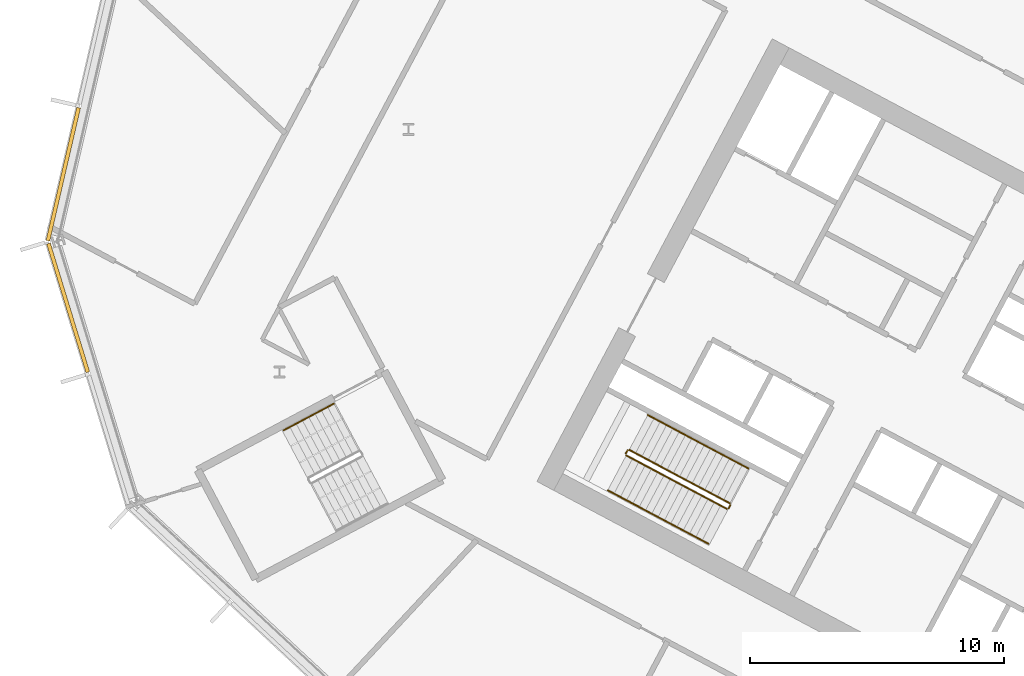
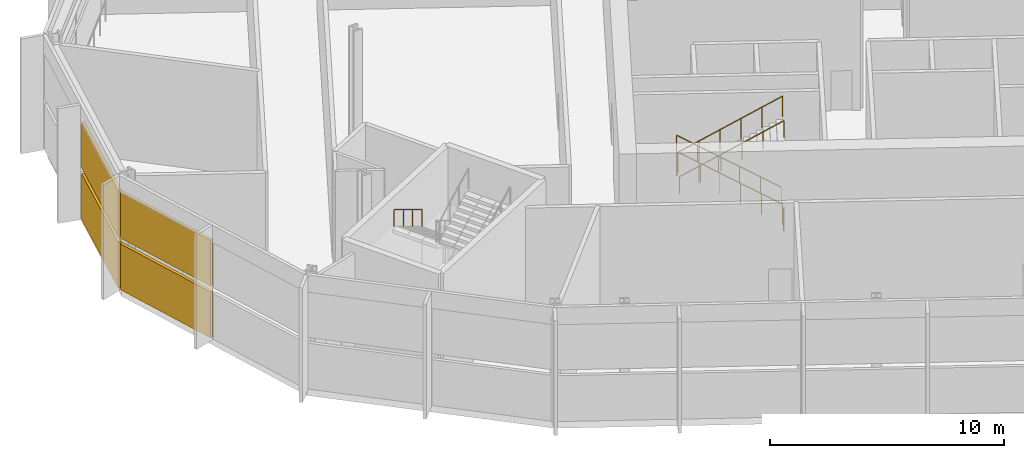
# One storey, part 24 of 33: 7 railings, 4 shading devices, 2 elements without a shape of their own.
"""IFC4 building model written with IfcOpenShell, lengths in metres."""

from ifc_helpers import new_model, si_unit, direction, frame, origin, origin_2d, place, context, subcontext, project, spatial, polyline, rectangle, outline, extrude, material, layer, layer_set, type_object, element, aggregate, save


model = new_model("IFC4")

# Units and contexts
model_context = context("Model", 3, precision=1e-05, world=origin(), true_north=direction((0.0, 1.0)))
body_context = subcontext(model_context, "Body", "Model", "MODEL_VIEW")
ifc_project = project(units=[si_unit("LENGTHUNIT", "METRE"), si_unit("AREAUNIT", "SQUARE_METRE"), si_unit("VOLUMEUNIT", "CUBIC_METRE"), si_unit("PLANEANGLEUNIT", "RADIAN"), si_unit("MASSUNIT", "GRAM", prefix="KILO")], contexts=[model_context])

# Site, building, storey
site_placement = place(None, origin())
site = spatial("IfcSite", under=ifc_project, at=site_placement, CompositionType="ELEMENT")
building_placement = place(site_placement, origin())
building = spatial("IfcBuilding", under=site, at=building_placement, Name="Cormorant Relay Tower", CompositionType="ELEMENT")
storey_placement = place(building_placement, frame((0.0, 0.0, 183.60009765625)))
storey = spatial("IfcBuildingStorey", under=building, at=storey_placement, Name="L39", CompositionType="ELEMENT", Elevation=183.60009765625)

# Curtain wall, shading devices
ifc_material_1 = material(Name="Aluminium 6063-T6 anodised bronze", Category="aluminium")
ifc_layer = layer(ifc_material_1, 0.199951171875)
ifc_layer_set = layer_set([ifc_layer], Name="CW4 band louvre wall")
curtain_wall_type = type_object("IfcCurtainWallType", Name="CW4 band louvre wall", PredefinedType="NOTDEFINED", material=ifc_layer_set)
curtain_wall_1_placement = place(storey_placement, origin())
curtain_wall_1 = element("IfcCurtainWall", 1, at=curtain_wall_1_placement, inside=storey, type_object=curtain_wall_type, Name="CW4 curtain wall 13", PredefinedType="NOTDEFINED")
ifc_material_2 = material(Name="Aluminium 6063-T6 anodised bronze louvre", Category="aluminium")
shading_device_type = type_object("IfcShadingDeviceType", Name="CW4 bronze louvre bank 150 x 2400", PredefinedType="USERDEFINED", material=ifc_material_2)
shading_device_1_placement = place(storey_placement, frame((-60.18994140625, 23.021484375, 2.699951171875), z_axis=(0.0, 0.0, 1.0), x_axis=(-0.224951054344, -0.974370064785, 0.0)))
shading_device_1 = element("IfcShadingDevice", 2, at=shading_device_1_placement, type_object=shading_device_type, Name="CW4 louvre bank U13.2", ObjectType="LOUVRE", PredefinedType="USERDEFINED", context=body_context, shape_type="SweptSolid", body=[
    extrude(rectangle(XDim=5.360107421875, YDim=0.14990234375, at=origin_2d()), origin(), (0.0, 0.0, 1.0), 2.39990234375),
])
shading_device_2_placement = place(storey_placement, frame((-60.18994140625, 23.021484375, 0.0), z_axis=(0.0, 0.0, 1.0), x_axis=(-0.224951054344, -0.974370064785, 0.0)))
shading_device_2 = element("IfcShadingDevice", 3, at=shading_device_2_placement, type_object=shading_device_type, Name="CW4 louvre bank D13.2", ObjectType="LOUVRE", PredefinedType="USERDEFINED", context=body_context, shape_type="SweptSolid", body=[
    extrude(rectangle(XDim=5.360107421875, YDim=0.14990234375, at=origin_2d()), origin(), (0.0, 0.0, 1.0), 2.39990234375),
])
aggregate(curtain_wall_1, [shading_device_1, shading_device_2])

curtain_wall_2_placement = place(storey_placement, origin())
curtain_wall_2 = element("IfcCurtainWall", 4, at=curtain_wall_2_placement, inside=storey, type_object=curtain_wall_type, Name="CW4 curtain wall 14", PredefinedType="NOTDEFINED")
shading_device_3_placement = place(storey_placement, frame((-59.9970703125, 17.7724609375, 2.699951171875), z_axis=(0.0, 0.0, 1.0), x_axis=(0.292371704723, -0.956304755963, 0.0)))
shading_device_3 = element("IfcShadingDevice", 5, at=shading_device_3_placement, type_object=shading_device_type, Name="CW4 louvre bank U14.1", ObjectType="LOUVRE", PredefinedType="USERDEFINED", context=body_context, shape_type="SweptSolid", body=[
    extrude(rectangle(XDim=5.28515625, YDim=0.14990234375, at=origin_2d()), origin(), (0.0, 0.0, 1.0), 2.39990234375),
])
shading_device_4_placement = place(storey_placement, frame((-59.9970703125, 17.7724609375, 0.0), z_axis=(0.0, 0.0, 1.0), x_axis=(0.292371704723, -0.956304755963, 0.0)))
shading_device_4 = element("IfcShadingDevice", 6, at=shading_device_4_placement, type_object=shading_device_type, Name="CW4 louvre bank D14.1", ObjectType="LOUVRE", PredefinedType="USERDEFINED", context=body_context, shape_type="SweptSolid", body=[
    extrude(rectangle(XDim=5.28515625, YDim=0.14990234375, at=origin_2d()), origin(), (0.0, 0.0, 1.0), 2.39990234375),
])
aggregate(curtain_wall_2, [shading_device_3, shading_device_4])

# Railings
ifc_material_3 = material(Name="Steel ASTM A572 Grade 50 (Fy 345 MPa)", Category="steel")
railing_type_1 = type_object("IfcRailingType", Name="Stair guard 1100", PredefinedType="GUARDRAIL", material=ifc_material_3)
railing_1_placement = place(storey_placement, frame((-33.9921875, 10.08935546875, 0.17626953125)))
element("IfcRailing", 7, at=railing_1_placement, inside=storey, type_object=railing_type_1, Name="L39 A2 stair guard 1", PredefinedType="GUARDRAIL", context=body_context, shape_type="SweptSolid", body=[
    extrude(outline(polyline([(0.022216796875, 0.00927734375), (0.00927734375, 0.022216796875), (-0.00927734375, 0.022216796875), (-0.022216796875, 0.00927734375), (-0.022216796875, -0.00927734375), (-0.00927734375, -0.022216796875), (0.00927734375, -0.022216796875), (0.022216796875, -0.00927734375), (0.022216796875, 0.00927734375)])), frame((0.0, 0.0, 1.076171875), z_axis=(-0.746948989206, 0.397171061721, 0.533218862434), x_axis=(-0.469481920044, -0.882942085729, 0.0)), (0.0, 0.0, 1.0), 5.295654296875),
    extrude(outline(polyline([(0.019287109375, 0.008056640625), (0.008056640625, 0.019287109375), (-0.008056640625, 0.019287109375), (-0.019287109375, 0.008056640625), (-0.019287109375, -0.008056640625), (-0.008056640625, -0.019287109375), (0.008056640625, -0.019287109375), (0.019287109375, -0.008056640625), (0.019287109375, 0.008056640625)])), origin(), (0.0, 0.0, 1.0), 1.052001953125),
    extrude(outline(polyline([(0.019287109375, 0.008056640625), (0.008056640625, 0.019287109375), (-0.008056640625, 0.019287109375), (-0.019287109375, 0.008056640625), (-0.019287109375, -0.008056640625), (-0.008056640625, -0.019287109375), (0.008056640625, -0.019287109375), (0.019287109375, -0.008056640625), (0.019287109375, 0.008056640625)])), frame((-0.791015625, 0.420654296875, 0.564697265625)), (0.0, 0.0, 1.0), 1.052001953125),
    extrude(outline(polyline([(0.019287109375, 0.008056640625), (0.008056640625, 0.019287109375), (-0.008056640625, 0.019287109375), (-0.019287109375, 0.008056640625), (-0.019287109375, -0.008056640625), (-0.008056640625, -0.019287109375), (0.008056640625, -0.019287109375), (0.019287109375, -0.008056640625), (0.019287109375, 0.008056640625)])), frame((-1.582275390625, 0.84130859375, 1.12939453125)), (0.0, 0.0, 1.0), 1.052001953125),
    extrude(outline(polyline([(0.019287109375, 0.008056640625), (0.008056640625, 0.019287109375), (-0.008056640625, 0.019287109375), (-0.019287109375, 0.008056640625), (-0.019287109375, -0.008056640625), (-0.008056640625, -0.019287109375), (0.008056640625, -0.019287109375), (0.019287109375, -0.008056640625), (0.019287109375, 0.008056640625)])), frame((-2.373291015625, 1.261962890625, 1.6943359375)), (0.0, 0.0, 1.0), 1.052001953125),
    extrude(outline(polyline([(0.019287109375, 0.008056640625), (0.008056640625, 0.019287109375), (-0.008056640625, 0.019287109375), (-0.019287109375, 0.008056640625), (-0.019287109375, -0.008056640625), (-0.008056640625, -0.019287109375), (0.008056640625, -0.019287109375), (0.019287109375, -0.008056640625), (0.019287109375, 0.008056640625)])), frame((-3.16455078125, 1.6826171875, 2.259033203125)), (0.0, 0.0, 1.0), 1.052001953125),
    extrude(outline(polyline([(0.019287109375, 0.008056640625), (0.008056640625, 0.019287109375), (-0.008056640625, 0.019287109375), (-0.019287109375, 0.008056640625), (-0.019287109375, -0.008056640625), (-0.008056640625, -0.019287109375), (0.008056640625, -0.019287109375), (0.019287109375, -0.008056640625), (0.019287109375, 0.008056640625)])), frame((-3.95556640625, 2.103271484375, 2.82373046875)), (0.0, 0.0, 1.0), 1.052001953125),
])
railing_2_placement = place(storey_placement, frame((-38.015380859375, 12.171875, 3.0)))
element("IfcRailing", 8, at=railing_2_placement, inside=storey, type_object=railing_type_1, Name="L39 A2 stair guard 2", PredefinedType="GUARDRAIL", context=body_context, shape_type="SweptSolid", body=[
    extrude(outline(polyline([(0.022216796875, 0.00927734375), (0.00927734375, 0.022216796875), (-0.00927734375, 0.022216796875), (-0.022216796875, 0.00927734375), (-0.022216796875, -0.00927734375), (-0.00927734375, -0.022216796875), (0.00927734375, -0.022216796875), (0.022216796875, -0.00927734375), (0.022216796875, 0.00927734375)])), frame((0.0, 0.0, 1.076171875), z_axis=(-0.470503732759, -0.882398003998, 0.0), x_axis=(0.882398003998, -0.470503732759, 0.0)), (0.0, 0.0, 1.0), 0.14990234375),
    extrude(outline(polyline([(0.019287109375, 0.008056640625), (0.008056640625, 0.019287109375), (-0.008056640625, 0.019287109375), (-0.019287109375, 0.008056640625), (-0.019287109375, -0.008056640625), (-0.008056640625, -0.019287109375), (0.008056640625, -0.019287109375), (0.019287109375, -0.008056640625), (0.019287109375, 0.008056640625)])), origin(), (0.0, 0.0, 1.0), 1.052001953125),
    extrude(outline(polyline([(0.019287109375, 0.008056640625), (0.008056640625, 0.019287109375), (-0.008056640625, 0.019287109375), (-0.019287109375, 0.008056640625), (-0.019287109375, -0.008056640625), (-0.008056640625, -0.019287109375), (0.008056640625, -0.019287109375), (0.019287109375, -0.008056640625), (0.019287109375, 0.008056640625)])), frame((-0.070556640625, -0.13232421875, 0.0)), (0.0, 0.0, 1.0), 1.052001953125),
])
railing_3_placement = place(storey_placement, frame((-38.065185546875, 11.971923828125, 3.17626953125)))
element("IfcRailing", 9, at=railing_3_placement, inside=storey, type_object=railing_type_1, Name="L39 A2 stair guard 3", PredefinedType="GUARDRAIL", context=body_context, shape_type="SweptSolid", body=[
    extrude(outline(polyline([(0.022216796875, 0.00927734375), (0.00927734375, 0.022216796875), (-0.00927734375, 0.022216796875), (-0.022216796875, 0.00927734375), (-0.022216796875, -0.00927734375), (-0.00927734375, -0.022216796875), (0.00927734375, -0.022216796875), (0.022216796875, -0.00927734375), (0.022216796875, 0.00927734375)])), frame((0.0, 0.0, 1.076171875), z_axis=(0.746948989206, -0.397171061721, 0.533218862434), x_axis=(0.469481920044, 0.882942085729, 0.0)), (0.0, 0.0, 1.0), 5.295654296875),
    extrude(outline(polyline([(0.019287109375, 0.008056640625), (0.008056640625, 0.019287109375), (-0.008056640625, 0.019287109375), (-0.019287109375, 0.008056640625), (-0.019287109375, -0.008056640625), (-0.008056640625, -0.019287109375), (0.008056640625, -0.019287109375), (0.019287109375, -0.008056640625), (0.019287109375, 0.008056640625)])), origin(), (0.0, 0.0, 1.0), 1.052001953125),
    extrude(outline(polyline([(0.019287109375, 0.008056640625), (0.008056640625, 0.019287109375), (-0.008056640625, 0.019287109375), (-0.019287109375, 0.008056640625), (-0.019287109375, -0.008056640625), (-0.008056640625, -0.019287109375), (0.008056640625, -0.019287109375), (0.019287109375, -0.008056640625), (0.019287109375, 0.008056640625)])), frame((0.791015625, -0.420654296875, 0.564697265625)), (0.0, 0.0, 1.0), 1.052001953125),
    extrude(outline(polyline([(0.019287109375, 0.008056640625), (0.008056640625, 0.019287109375), (-0.008056640625, 0.019287109375), (-0.019287109375, 0.008056640625), (-0.019287109375, -0.008056640625), (-0.008056640625, -0.019287109375), (0.008056640625, -0.019287109375), (0.019287109375, -0.008056640625), (0.019287109375, 0.008056640625)])), frame((1.582275390625, -0.84130859375, 1.12939453125)), (0.0, 0.0, 1.0), 1.052001953125),
    extrude(outline(polyline([(0.019287109375, 0.008056640625), (0.008056640625, 0.019287109375), (-0.008056640625, 0.019287109375), (-0.019287109375, 0.008056640625), (-0.019287109375, -0.008056640625), (-0.008056640625, -0.019287109375), (0.008056640625, -0.019287109375), (0.019287109375, -0.008056640625), (0.019287109375, 0.008056640625)])), frame((2.373291015625, -1.261962890625, 1.6943359375)), (0.0, 0.0, 1.0), 1.052001953125),
    extrude(outline(polyline([(0.019287109375, 0.008056640625), (0.008056640625, 0.019287109375), (-0.008056640625, 0.019287109375), (-0.019287109375, 0.008056640625), (-0.019287109375, -0.008056640625), (-0.008056640625, -0.019287109375), (0.008056640625, -0.019287109375), (0.019287109375, -0.008056640625), (0.019287109375, 0.008056640625)])), frame((3.16455078125, -1.6826171875, 2.259033203125)), (0.0, 0.0, 1.0), 1.052001953125),
    extrude(outline(polyline([(0.019287109375, 0.008056640625), (0.008056640625, 0.019287109375), (-0.008056640625, 0.019287109375), (-0.019287109375, 0.008056640625), (-0.019287109375, -0.008056640625), (-0.008056640625, -0.019287109375), (0.008056640625, -0.019287109375), (0.019287109375, -0.008056640625), (0.019287109375, 0.008056640625)])), frame((3.95556640625, -2.103271484375, 2.82373046875)), (0.0, 0.0, 1.0), 1.052001953125),
])
railing_4_placement = place(storey_placement, frame((-33.971435546875, 10.021728515625, 0.0)))
element("IfcRailing", 10, at=railing_4_placement, inside=storey, type_object=railing_type_1, Name="L39 A2 stair guard 4", PredefinedType="GUARDRAIL", context=body_context, shape_type="SweptSolid", body=[
    extrude(outline(polyline([(0.022216796875, 0.00927734375), (0.00927734375, 0.022216796875), (-0.00927734375, 0.022216796875), (-0.022216796875, 0.00927734375), (-0.022216796875, -0.00927734375), (-0.00927734375, -0.022216796875), (0.00927734375, -0.022216796875), (0.022216796875, -0.00927734375), (0.022216796875, 0.00927734375)])), frame((0.0, 0.0, 1.076171875), z_axis=(-0.470503732759, -0.882398003998, 0.0), x_axis=(0.882398003998, -0.470503732759, 0.0)), (0.0, 0.0, 1.0), 0.14990234375),
    extrude(outline(polyline([(0.019287109375, 0.008056640625), (0.008056640625, 0.019287109375), (-0.008056640625, 0.019287109375), (-0.019287109375, 0.008056640625), (-0.019287109375, -0.008056640625), (-0.008056640625, -0.019287109375), (0.008056640625, -0.019287109375), (0.019287109375, -0.008056640625), (0.019287109375, 0.008056640625)])), origin(), (0.0, 0.0, 1.0), 1.052001953125),
    extrude(outline(polyline([(0.019287109375, 0.008056640625), (0.008056640625, 0.019287109375), (-0.008056640625, 0.019287109375), (-0.019287109375, 0.008056640625), (-0.019287109375, -0.008056640625), (-0.008056640625, -0.019287109375), (0.008056640625, -0.019287109375), (0.019287109375, -0.008056640625), (0.019287109375, 0.008056640625)])), frame((-0.070556640625, -0.13232421875, 0.0)), (0.0, 0.0, 1.0), 1.052001953125),
])
ifc_material_4 = material(Name="Steel ASTM A572 Grade 50 (Fy 345 MPa)", Category="steel")
railing_type_2 = type_object("IfcRailingType", Name="Stair handrail 900", PredefinedType="HANDRAIL", material=ifc_material_4)
railing_5_placement = place(storey_placement, frame((-33.264404296875, 11.4580078125, 0.17626953125)))
element("IfcRailing", 11, at=railing_5_placement, inside=storey, type_object=railing_type_2, Name="L39 A2 stair handrail 1", PredefinedType="HANDRAIL", context=body_context, shape_type="SweptSolid", body=[
    extrude(outline(polyline([(0.022216796875, 0.00927734375), (0.00927734375, 0.022216796875), (-0.00927734375, 0.022216796875), (-0.022216796875, 0.00927734375), (-0.022216796875, -0.00927734375), (-0.00927734375, -0.022216796875), (0.00927734375, -0.022216796875), (0.022216796875, -0.00927734375), (0.022216796875, 0.00927734375)])), frame((0.0, 0.0, 0.8759765625), z_axis=(-0.746969368455, 0.397157385005, 0.533200500867), x_axis=(-0.469459331058, -0.882954096475, 0.0)), (0.0, 0.0, 1.0), 5.2958984375),
    extrude(outline(polyline([(0.019287109375, 0.008056640625), (0.008056640625, 0.019287109375), (-0.008056640625, 0.019287109375), (-0.019287109375, 0.008056640625), (-0.019287109375, -0.008056640625), (-0.008056640625, -0.019287109375), (0.008056640625, -0.019287109375), (0.019287109375, -0.008056640625), (0.019287109375, 0.008056640625)])), origin(), (0.0, 0.0, 1.0), 0.851806640625),
    extrude(outline(polyline([(0.019287109375, 0.008056640625), (0.008056640625, 0.019287109375), (-0.008056640625, 0.019287109375), (-0.019287109375, 0.008056640625), (-0.019287109375, -0.008056640625), (-0.008056640625, -0.019287109375), (0.008056640625, -0.019287109375), (0.019287109375, -0.008056640625), (0.019287109375, 0.008056640625)])), frame((-0.791259765625, 0.420654296875, 0.564697265625)), (0.0, 0.0, 1.0), 0.851806640625),
    extrude(outline(polyline([(0.019287109375, 0.008056640625), (0.008056640625, 0.019287109375), (-0.008056640625, 0.019287109375), (-0.019287109375, 0.008056640625), (-0.019287109375, -0.008056640625), (-0.008056640625, -0.019287109375), (0.008056640625, -0.019287109375), (0.019287109375, -0.008056640625), (0.019287109375, 0.008056640625)])), frame((-1.582275390625, 0.84130859375, 1.12939453125)), (0.0, 0.0, 1.0), 0.851806640625),
    extrude(outline(polyline([(0.019287109375, 0.008056640625), (0.008056640625, 0.019287109375), (-0.008056640625, 0.019287109375), (-0.019287109375, 0.008056640625), (-0.019287109375, -0.008056640625), (-0.008056640625, -0.019287109375), (0.008056640625, -0.019287109375), (0.019287109375, -0.008056640625), (0.019287109375, 0.008056640625)])), frame((-2.37353515625, 1.261962890625, 1.6943359375)), (0.0, 0.0, 1.0), 0.851806640625),
    extrude(outline(polyline([(0.019287109375, 0.008056640625), (0.008056640625, 0.019287109375), (-0.008056640625, 0.019287109375), (-0.019287109375, 0.008056640625), (-0.019287109375, -0.008056640625), (-0.008056640625, -0.019287109375), (0.008056640625, -0.019287109375), (0.019287109375, -0.008056640625), (0.019287109375, 0.008056640625)])), frame((-3.16455078125, 1.6826171875, 2.259033203125)), (0.0, 0.0, 1.0), 0.851806640625),
    extrude(outline(polyline([(0.019287109375, 0.008056640625), (0.008056640625, 0.019287109375), (-0.008056640625, 0.019287109375), (-0.019287109375, 0.008056640625), (-0.019287109375, -0.008056640625), (-0.008056640625, -0.019287109375), (0.008056640625, -0.019287109375), (0.019287109375, -0.008056640625), (0.019287109375, 0.008056640625)])), frame((-3.955810546875, 2.103271484375, 2.82373046875)), (0.0, 0.0, 1.0), 0.851806640625),
])
railing_6_placement = place(storey_placement, frame((-38.79296875, 10.603271484375, 3.17626953125)))
element("IfcRailing", 12, at=railing_6_placement, inside=storey, type_object=railing_type_2, Name="L39 A2 stair handrail 2", PredefinedType="HANDRAIL", context=body_context, shape_type="SweptSolid", body=[
    extrude(outline(polyline([(0.022216796875, 0.00927734375), (0.00927734375, 0.022216796875), (-0.00927734375, 0.022216796875), (-0.022216796875, 0.00927734375), (-0.022216796875, -0.00927734375), (-0.00927734375, -0.022216796875), (0.00927734375, -0.022216796875), (0.022216796875, -0.00927734375), (0.022216796875, 0.00927734375)])), frame((0.0, 0.0, 0.8759765625), z_axis=(0.746969368455, -0.397157385005, 0.533200500867), x_axis=(0.469459331058, 0.882954096475, 0.0)), (0.0, 0.0, 1.0), 5.2958984375),
    extrude(outline(polyline([(0.019287109375, 0.008056640625), (0.008056640625, 0.019287109375), (-0.008056640625, 0.019287109375), (-0.019287109375, 0.008056640625), (-0.019287109375, -0.008056640625), (-0.008056640625, -0.019287109375), (0.008056640625, -0.019287109375), (0.019287109375, -0.008056640625), (0.019287109375, 0.008056640625)])), origin(), (0.0, 0.0, 1.0), 0.851806640625),
    extrude(outline(polyline([(0.019287109375, 0.008056640625), (0.008056640625, 0.019287109375), (-0.008056640625, 0.019287109375), (-0.019287109375, 0.008056640625), (-0.019287109375, -0.008056640625), (-0.008056640625, -0.019287109375), (0.008056640625, -0.019287109375), (0.019287109375, -0.008056640625), (0.019287109375, 0.008056640625)])), frame((0.791259765625, -0.420654296875, 0.564697265625)), (0.0, 0.0, 1.0), 0.851806640625),
    extrude(outline(polyline([(0.019287109375, 0.008056640625), (0.008056640625, 0.019287109375), (-0.008056640625, 0.019287109375), (-0.019287109375, 0.008056640625), (-0.019287109375, -0.008056640625), (-0.008056640625, -0.019287109375), (0.008056640625, -0.019287109375), (0.019287109375, -0.008056640625), (0.019287109375, 0.008056640625)])), frame((1.582275390625, -0.84130859375, 1.12939453125)), (0.0, 0.0, 1.0), 0.851806640625),
    extrude(outline(polyline([(0.019287109375, 0.008056640625), (0.008056640625, 0.019287109375), (-0.008056640625, 0.019287109375), (-0.019287109375, 0.008056640625), (-0.019287109375, -0.008056640625), (-0.008056640625, -0.019287109375), (0.008056640625, -0.019287109375), (0.019287109375, -0.008056640625), (0.019287109375, 0.008056640625)])), frame((2.37353515625, -1.261962890625, 1.6943359375)), (0.0, 0.0, 1.0), 0.851806640625),
    extrude(outline(polyline([(0.019287109375, 0.008056640625), (0.008056640625, 0.019287109375), (-0.008056640625, 0.019287109375), (-0.019287109375, 0.008056640625), (-0.019287109375, -0.008056640625), (-0.008056640625, -0.019287109375), (0.008056640625, -0.019287109375), (0.019287109375, -0.008056640625), (0.019287109375, 0.008056640625)])), frame((3.16455078125, -1.6826171875, 2.259033203125)), (0.0, 0.0, 1.0), 0.851806640625),
    extrude(outline(polyline([(0.019287109375, 0.008056640625), (0.008056640625, 0.019287109375), (-0.008056640625, 0.019287109375), (-0.019287109375, 0.008056640625), (-0.019287109375, -0.008056640625), (-0.008056640625, -0.019287109375), (0.008056640625, -0.019287109375), (0.019287109375, -0.008056640625), (0.019287109375, 0.008056640625)])), frame((3.955810546875, -2.103271484375, 2.82373046875)), (0.0, 0.0, 1.0), 0.851806640625),
])
railing_7_placement = place(storey_placement, frame((-49.55517578125, 14.009521484375, 3.16650390625)))
element("IfcRailing", 13, at=railing_7_placement, inside=storey, type_object=railing_type_2, Name="L39 RP1 stair handrail 3", PredefinedType="HANDRAIL", context=body_context, shape_type="SweptSolid", body=[
    extrude(outline(polyline([(0.022216796875, 0.00927734375), (0.00927734375, 0.022216796875), (-0.00927734375, 0.022216796875), (-0.022216796875, 0.00927734375), (-0.022216796875, -0.00927734375), (-0.00927734375, -0.022216796875), (0.00927734375, -0.022216796875), (0.022216796875, -0.00927734375), (0.022216796875, 0.00927734375)])), frame((0.0, 0.0, 0.8759765625), z_axis=(-0.758695243296, -0.403370005293, 0.511540972582), x_axis=(0.469439434157, -0.882964675204, 0.0)), (0.0, 0.0, 1.0), 2.60693359375),
    extrude(outline(polyline([(0.019287109375, 0.008056640625), (0.008056640625, 0.019287109375), (-0.008056640625, 0.019287109375), (-0.019287109375, 0.008056640625), (-0.019287109375, -0.008056640625), (-0.008056640625, -0.019287109375), (0.008056640625, -0.019287109375), (0.019287109375, -0.008056640625), (0.019287109375, 0.008056640625)])), origin(), (0.0, 0.0, 1.0), 0.851806640625),
    extrude(outline(polyline([(0.019287109375, 0.008056640625), (0.008056640625, 0.019287109375), (-0.008056640625, 0.019287109375), (-0.019287109375, 0.008056640625), (-0.019287109375, -0.008056640625), (-0.008056640625, -0.019287109375), (0.008056640625, -0.019287109375), (0.019287109375, -0.008056640625), (0.019287109375, 0.008056640625)])), frame((-0.6591796875, -0.3505859375, 0.444580078125)), (0.0, 0.0, 1.0), 0.851806640625),
    extrude(outline(polyline([(0.019287109375, 0.008056640625), (0.008056640625, 0.019287109375), (-0.008056640625, 0.019287109375), (-0.019287109375, 0.008056640625), (-0.019287109375, -0.008056640625), (-0.008056640625, -0.019287109375), (0.008056640625, -0.019287109375), (0.019287109375, -0.008056640625), (0.019287109375, 0.008056640625)])), frame((-1.318603515625, -0.700927734375, 0.888916015625)), (0.0, 0.0, 1.0), 0.851806640625),
    extrude(outline(polyline([(0.019287109375, 0.008056640625), (0.008056640625, 0.019287109375), (-0.008056640625, 0.019287109375), (-0.019287109375, 0.008056640625), (-0.019287109375, -0.008056640625), (-0.008056640625, -0.019287109375), (0.008056640625, -0.019287109375), (0.019287109375, -0.008056640625), (0.019287109375, 0.008056640625)])), frame((-1.977783203125, -1.051513671875, 1.33349609375)), (0.0, 0.0, 1.0), 0.851806640625),
])

save(model, "model.ifc")
